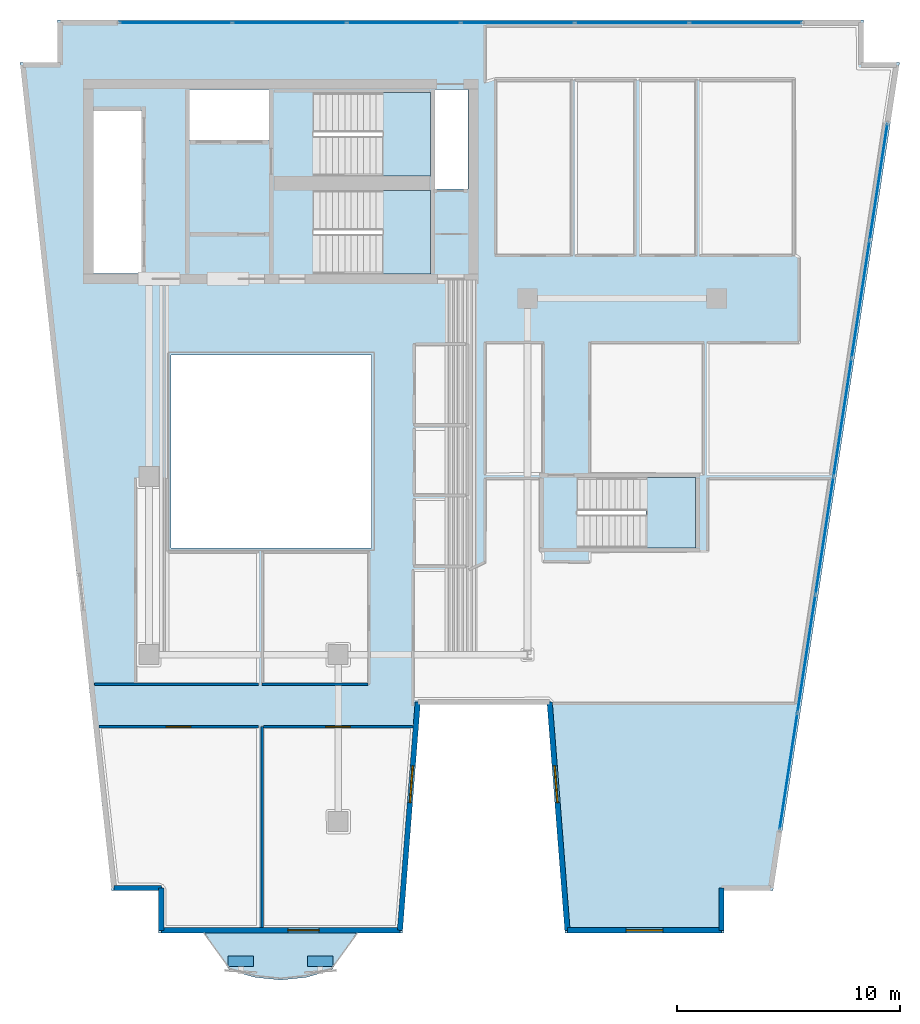
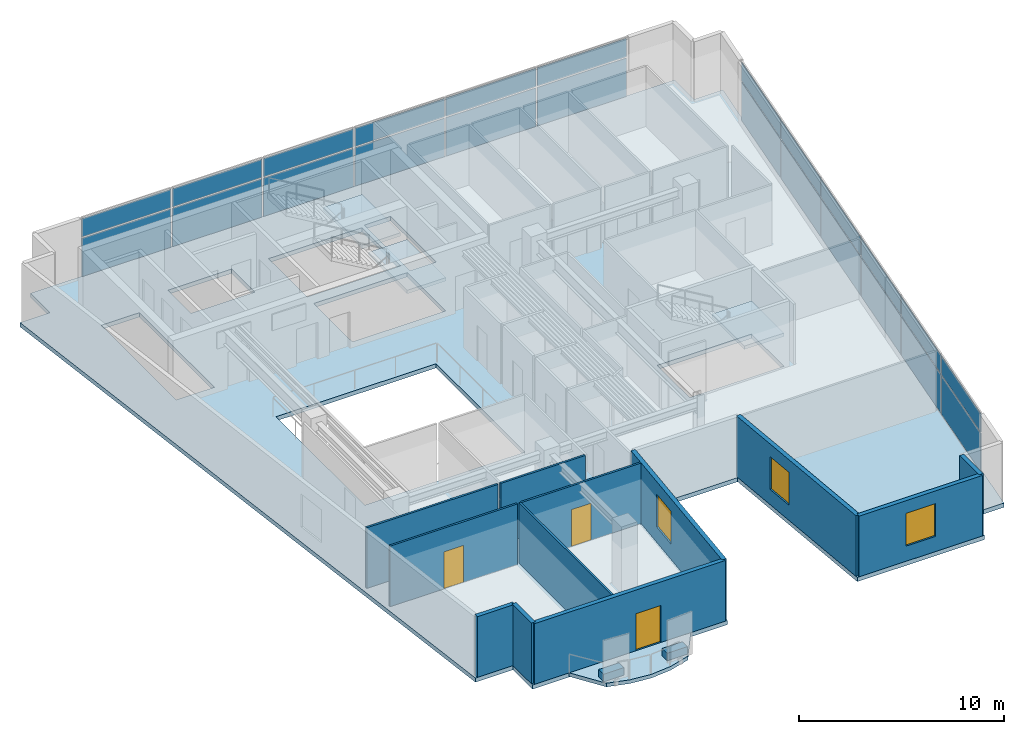
# One storey, part 3 of 8: 26 plates, 12 walls, 5 slabs, 3 doors, 3 windows, 6 openings, 5 elements without a shape of their own.
"""IFC4 building model written with IfcOpenShell, lengths in metres."""

from ifc_helpers import new_model, si_unit, direction, frame, frame_2d, origin, origin_2d, place, context, subcontext, project, spatial, polyline, rectangle, outline, extrude, material, layer, layer_set, type_object, element, fill, aggregate, save


model = new_model("IFC4")

# Units and contexts
model_context = context("Model", 3, precision=1e-05, world=origin(), true_north=direction((0.0, 1.0)))
body_context = subcontext(model_context, "Body", "Model", "MODEL_VIEW")
ifc_project = project(units=[si_unit("LENGTHUNIT", "METRE"), si_unit("AREAUNIT", "SQUARE_METRE"), si_unit("VOLUMEUNIT", "CUBIC_METRE"), si_unit("PLANEANGLEUNIT", "RADIAN"), si_unit("MASSUNIT", "GRAM", prefix="KILO")], contexts=[model_context])

# Site, building, storey
site_placement = place(None, origin())
site = spatial("IfcSite", under=ifc_project, at=site_placement, CompositionType="ELEMENT")
building_placement = place(site_placement, origin())
building = spatial("IfcBuilding", under=site, at=building_placement, Name="Caeloran Harvest Quay", CompositionType="ELEMENT")
storey_placement = place(building_placement, frame((0.0, 0.0, 246.949951171875)))
storey = spatial("IfcBuildingStorey", under=building, at=storey_placement, Name="L59", CompositionType="ELEMENT", Elevation=246.949951171875)

# Slab
ifc_material_1 = material(Name="Concrete C50/60", Category="concrete")
ifc_layer_1 = layer(ifc_material_1, 0.219970703125, Name="Concrete C50/60")
ifc_layer_set_1 = layer_set([ifc_layer_1], Name="Concrete C50/60")
slab_type_1 = type_object("IfcSlabType", Name="BALCONY-BL-220", PredefinedType="FLOOR", material=ifc_layer_set_1)
slab_1_placement = place(storey_placement, frame((0.0, 0.0, -0.219970703125)))
element("IfcSlab", 1, at=slab_1_placement, inside=storey, type_object=slab_type_1, Name="L59 Scalloped Cantilevered Planted Balcony Slab", PredefinedType="FLOOR", context=body_context, shape_type="SweptSolid", body=[
    extrude(outline(polyline([(16.70068359375, 0.82958984375), (15.5576171875, 0.507080078125), (14.41455078125, 0.388916015625), (13.271240234375, 0.507080078125), (12.128173828125, 0.82958984375), (10.99853515625, 2.5), (17.83056640625, 2.5), (16.70068359375, 0.82958984375)])), origin(), (0.0, 0.0, 1.0), 0.219970703125),
])

# Curtain wall, plates
ifc_material_2 = material(Name="Aluminium 6063-T6 and Low-E Glazing", Category="aluminium")
ifc_layer_2 = layer(ifc_material_2, 0.219970703125, Name="Aluminium 6063-T6 and Low-E Glazing")
ifc_layer_set_2 = layer_set([ifc_layer_2], Name="Aluminium 6063-T6 and Low-E Glazing")
curtain_wall_type = type_object("IfcCurtainWallType", Name="CW-SYS-CW-5", PredefinedType="USERDEFINED", material=ifc_layer_set_2)
curtain_wall_1_placement = place(storey_placement, origin())
curtain_wall_1 = element("IfcCurtainWall", 2, at=curtain_wall_1_placement, inside=storey, type_object=curtain_wall_type, Name="L59 Unitised Curtain Wall CW-5 Run 6", ObjectType="CURTAIN_WALL", PredefinedType="USERDEFINED")
ifc_material_3 = material(Name="Low-E Double Glazed Vision Glass Unit", Category="glass")
ifc_layer_3 = layer(ifc_material_3, 0.035888671875, Name="Low-E Double Glazed Vision Glass Unit")
ifc_layer_set_3 = layer_set([ifc_layer_3], Name="Low-E Double Glazed Vision Glass Unit")
plate_type_1 = type_object("IfcPlateType", Name="CW-VISION-PANEL", PredefinedType="CURTAIN_PANEL", material=ifc_layer_set_3)
plate_1_placement = place(storey_placement, frame((9.703369140625, 43.3798828125, 0.080078125), z_axis=(0.0, 0.0, 1.0), x_axis=(1.0, 0.0, 0.0)))
plate_1 = element("IfcPlate", 3, at=plate_1_placement, type_object=plate_type_1, Name="CW-5 panel 1.1", PredefinedType="CURTAIN_PANEL", context=body_context, shape_type="SweptSolid", body=[
    extrude(rectangle(XDim=5.006591796875, YDim=0.035888671875, at=origin_2d()), origin(), (0.0, 0.0, 1.0), 2.280029296875),
])
plate_2_placement = place(storey_placement, frame((9.703369140625, 43.3798828125, 2.43994140625), z_axis=(0.0, 0.0, 1.0), x_axis=(1.0, 0.0, 0.0)))
plate_2 = element("IfcPlate", 4, at=plate_2_placement, type_object=plate_type_1, Name="CW-5 panel 1.2", PredefinedType="CURTAIN_PANEL", context=body_context, shape_type="SweptSolid", body=[
    extrude(rectangle(XDim=5.006591796875, YDim=0.035888671875, at=origin_2d()), origin(), (0.0, 0.0, 1.0), 1.080078125),
])
plate_3_placement = place(storey_placement, frame((14.81005859375, 43.3798828125, 0.080078125), z_axis=(0.0, 0.0, 1.0), x_axis=(1.0, 0.0, 0.0)))
plate_3 = element("IfcPlate", 5, at=plate_3_placement, type_object=plate_type_1, Name="CW-5 panel 2.1", PredefinedType="CURTAIN_PANEL", context=body_context, shape_type="SweptSolid", body=[
    extrude(rectangle(XDim=5.046630859375, YDim=0.035888671875, at=origin_2d()), origin(), (0.0, 0.0, 1.0), 2.280029296875),
])
plate_4_placement = place(storey_placement, frame((14.81005859375, 43.3798828125, 2.43994140625), z_axis=(0.0, 0.0, 1.0), x_axis=(1.0, 0.0, 0.0)))
plate_4 = element("IfcPlate", 6, at=plate_4_placement, type_object=plate_type_1, Name="CW-5 panel 2.2", PredefinedType="CURTAIN_PANEL", context=body_context, shape_type="SweptSolid", body=[
    extrude(rectangle(XDim=5.046630859375, YDim=0.035888671875, at=origin_2d()), origin(), (0.0, 0.0, 1.0), 1.080078125),
])
plate_5_placement = place(storey_placement, frame((19.936767578125, 43.3798828125, 0.080078125), z_axis=(0.0, 0.0, 1.0), x_axis=(1.0, 0.0, 0.0)))
plate_5 = element("IfcPlate", 7, at=plate_5_placement, type_object=plate_type_1, Name="CW-5 panel 3.1", PredefinedType="CURTAIN_PANEL", context=body_context, shape_type="SweptSolid", body=[
    extrude(rectangle(XDim=5.046630859375, YDim=0.035888671875, at=origin_2d()), origin(), (0.0, 0.0, 1.0), 2.280029296875),
])
plate_6_placement = place(storey_placement, frame((19.936767578125, 43.3798828125, 2.43994140625), z_axis=(0.0, 0.0, 1.0), x_axis=(1.0, 0.0, 0.0)))
plate_6 = element("IfcPlate", 8, at=plate_6_placement, type_object=plate_type_1, Name="CW-5 panel 3.2", PredefinedType="CURTAIN_PANEL", context=body_context, shape_type="SweptSolid", body=[
    extrude(rectangle(XDim=5.046630859375, YDim=0.035888671875, at=origin_2d()), origin(), (0.0, 0.0, 1.0), 1.080078125),
])
plate_7_placement = place(storey_placement, frame((25.063232421875, 43.3798828125, 0.080078125), z_axis=(0.0, 0.0, 1.0), x_axis=(1.0, 0.0, 0.0)))
plate_7 = element("IfcPlate", 9, at=plate_7_placement, type_object=plate_type_1, Name="CW-5 panel 4.1", PredefinedType="CURTAIN_PANEL", context=body_context, shape_type="SweptSolid", body=[
    extrude(rectangle(XDim=5.046630859375, YDim=0.035888671875, at=origin_2d()), origin(), (0.0, 0.0, 1.0), 2.280029296875),
])
plate_8_placement = place(storey_placement, frame((25.063232421875, 43.3798828125, 2.43994140625), z_axis=(0.0, 0.0, 1.0), x_axis=(1.0, 0.0, 0.0)))
plate_8 = element("IfcPlate", 10, at=plate_8_placement, type_object=plate_type_1, Name="CW-5 panel 4.2", PredefinedType="CURTAIN_PANEL", context=body_context, shape_type="SweptSolid", body=[
    extrude(rectangle(XDim=5.046630859375, YDim=0.035888671875, at=origin_2d()), origin(), (0.0, 0.0, 1.0), 1.080078125),
])
plate_9_placement = place(storey_placement, frame((30.18994140625, 43.3798828125, 0.080078125), z_axis=(0.0, 0.0, 1.0), x_axis=(1.0, 0.0, 0.0)))
plate_9 = element("IfcPlate", 11, at=plate_9_placement, type_object=plate_type_1, Name="CW-5 panel 5.1", PredefinedType="CURTAIN_PANEL", context=body_context, shape_type="SweptSolid", body=[
    extrude(rectangle(XDim=5.046630859375, YDim=0.035888671875, at=origin_2d()), origin(), (0.0, 0.0, 1.0), 2.280029296875),
])
plate_10_placement = place(storey_placement, frame((30.18994140625, 43.3798828125, 2.43994140625), z_axis=(0.0, 0.0, 1.0), x_axis=(1.0, 0.0, 0.0)))
plate_10 = element("IfcPlate", 12, at=plate_10_placement, type_object=plate_type_1, Name="CW-5 panel 5.2", PredefinedType="CURTAIN_PANEL", context=body_context, shape_type="SweptSolid", body=[
    extrude(rectangle(XDim=5.046630859375, YDim=0.035888671875, at=origin_2d()), origin(), (0.0, 0.0, 1.0), 1.080078125),
])
plate_11_placement = place(storey_placement, frame((35.296630859375, 43.3798828125, 0.080078125), z_axis=(0.0, 0.0, 1.0), x_axis=(1.0, 0.0, 0.0)))
plate_11 = element("IfcPlate", 13, at=plate_11_placement, type_object=plate_type_1, Name="CW-5 panel 6.1", PredefinedType="CURTAIN_PANEL", context=body_context, shape_type="SweptSolid", body=[
    extrude(rectangle(XDim=5.006591796875, YDim=0.035888671875, at=origin_2d()), origin(), (0.0, 0.0, 1.0), 2.280029296875),
])
plate_12_placement = place(storey_placement, frame((35.296630859375, 43.3798828125, 2.43994140625), z_axis=(0.0, 0.0, 1.0), x_axis=(1.0, 0.0, 0.0)))
plate_12 = element("IfcPlate", 14, at=plate_12_placement, type_object=plate_type_1, Name="CW-5 panel 6.2", PredefinedType="CURTAIN_PANEL", context=body_context, shape_type="SweptSolid", body=[
    extrude(rectangle(XDim=5.006591796875, YDim=0.035888671875, at=origin_2d()), origin(), (0.0, 0.0, 1.0), 1.080078125),
])
aggregate(curtain_wall_1, [plate_1, plate_2, plate_3, plate_4, plate_5, plate_6, plate_7, plate_8, plate_9, plate_10, plate_11, plate_12])

curtain_wall_2_placement = place(storey_placement, origin())
curtain_wall_2 = element("IfcCurtainWall", 15, at=curtain_wall_2_placement, inside=storey, type_object=curtain_wall_type, Name="L59 Unitised Curtain Wall CW-5 Run 9", ObjectType="CURTAIN_WALL", PredefinedType="USERDEFINED")
plate_13_placement = place(storey_placement, frame((41.26904296875, 36.23828125, 0.080078125), z_axis=(0.0, 0.0, 1.0), x_axis=(-0.151027591278, -0.988529547698, 0.0)))
plate_13 = element("IfcPlate", 16, at=plate_13_placement, type_object=plate_type_1, Name="CW-5 panel 1.1", PredefinedType="CURTAIN_PANEL", context=body_context, shape_type="SweptSolid", body=[
    extrude(rectangle(XDim=5.244873046875, YDim=0.035888671875, at=origin_2d()), origin(), (0.0, 0.0, 1.0), 2.280029296875),
])
plate_14_placement = place(storey_placement, frame((41.26904296875, 36.23828125, 2.43994140625), z_axis=(0.0, 0.0, 1.0), x_axis=(-0.151027591278, -0.988529547698, 0.0)))
plate_14 = element("IfcPlate", 17, at=plate_14_placement, type_object=plate_type_1, Name="CW-5 panel 1.2", PredefinedType="CURTAIN_PANEL", context=body_context, shape_type="SweptSolid", body=[
    extrude(rectangle(XDim=5.244873046875, YDim=0.035888671875, at=origin_2d()), origin(), (0.0, 0.0, 1.0), 1.080078125),
])
plate_15_placement = place(storey_placement, frame((40.4619140625, 30.954833984375, 0.080078125), z_axis=(0.0, 0.0, 1.0), x_axis=(-0.151027591278, -0.988529547698, 0.0)))
plate_15 = element("IfcPlate", 18, at=plate_15_placement, type_object=plate_type_1, Name="CW-5 panel 2.1", PredefinedType="CURTAIN_PANEL", context=body_context, shape_type="SweptSolid", body=[
    extrude(rectangle(XDim=5.284912109375, YDim=0.035888671875, at=origin_2d()), origin(), (0.0, 0.0, 1.0), 2.280029296875),
])
plate_16_placement = place(storey_placement, frame((40.4619140625, 30.954833984375, 2.43994140625), z_axis=(0.0, 0.0, 1.0), x_axis=(-0.151027591278, -0.988529547698, 0.0)))
plate_16 = element("IfcPlate", 19, at=plate_16_placement, type_object=plate_type_1, Name="CW-5 panel 2.2", PredefinedType="CURTAIN_PANEL", context=body_context, shape_type="SweptSolid", body=[
    extrude(rectangle(XDim=5.284912109375, YDim=0.035888671875, at=origin_2d()), origin(), (0.0, 0.0, 1.0), 1.080078125),
])
plate_17_placement = place(storey_placement, frame((39.651611328125, 25.651611328125, 0.080078125), z_axis=(0.0, 0.0, 1.0), x_axis=(-0.151027591278, -0.988529547698, 0.0)))
plate_17 = element("IfcPlate", 20, at=plate_17_placement, type_object=plate_type_1, Name="CW-5 panel 3.1", PredefinedType="CURTAIN_PANEL", context=body_context, shape_type="SweptSolid", body=[
    extrude(rectangle(XDim=5.284912109375, YDim=0.035888671875, at=origin_2d()), origin(), (0.0, 0.0, 1.0), 2.280029296875),
])
plate_18_placement = place(storey_placement, frame((39.651611328125, 25.651611328125, 2.43994140625), z_axis=(0.0, 0.0, 1.0), x_axis=(-0.151027591278, -0.988529547698, 0.0)))
plate_18 = element("IfcPlate", 21, at=plate_18_placement, type_object=plate_type_1, Name="CW-5 panel 3.2", PredefinedType="CURTAIN_PANEL", context=body_context, shape_type="SweptSolid", body=[
    extrude(rectangle(XDim=5.284912109375, YDim=0.035888671875, at=origin_2d()), origin(), (0.0, 0.0, 1.0), 1.080078125),
])
plate_19_placement = place(storey_placement, frame((38.841552734375, 20.348388671875, 0.080078125), z_axis=(0.0, 0.0, 1.0), x_axis=(-0.151027591278, -0.988529547698, 0.0)))
plate_19 = element("IfcPlate", 22, at=plate_19_placement, type_object=plate_type_1, Name="CW-5 panel 4.1", PredefinedType="CURTAIN_PANEL", context=body_context, shape_type="SweptSolid", body=[
    extrude(rectangle(XDim=5.284912109375, YDim=0.035888671875, at=origin_2d()), origin(), (0.0, 0.0, 1.0), 2.280029296875),
])
plate_20_placement = place(storey_placement, frame((38.841552734375, 20.348388671875, 2.43994140625), z_axis=(0.0, 0.0, 1.0), x_axis=(-0.151027591278, -0.988529547698, 0.0)))
plate_20 = element("IfcPlate", 23, at=plate_20_placement, type_object=plate_type_1, Name="CW-5 panel 4.2", PredefinedType="CURTAIN_PANEL", context=body_context, shape_type="SweptSolid", body=[
    extrude(rectangle(XDim=5.284912109375, YDim=0.035888671875, at=origin_2d()), origin(), (0.0, 0.0, 1.0), 1.080078125),
])
plate_21_placement = place(storey_placement, frame((38.03125, 15.045166015625, 0.080078125), z_axis=(0.0, 0.0, 1.0), x_axis=(-0.151027591278, -0.988529547698, 0.0)))
plate_21 = element("IfcPlate", 24, at=plate_21_placement, type_object=plate_type_1, Name="CW-5 panel 5.1", PredefinedType="CURTAIN_PANEL", context=body_context, shape_type="SweptSolid", body=[
    extrude(rectangle(XDim=5.284912109375, YDim=0.035888671875, at=origin_2d()), origin(), (0.0, 0.0, 1.0), 2.280029296875),
])
plate_22_placement = place(storey_placement, frame((38.03125, 15.045166015625, 2.43994140625), z_axis=(0.0, 0.0, 1.0), x_axis=(-0.151027591278, -0.988529547698, 0.0)))
plate_22 = element("IfcPlate", 25, at=plate_22_placement, type_object=plate_type_1, Name="CW-5 panel 5.2", PredefinedType="CURTAIN_PANEL", context=body_context, shape_type="SweptSolid", body=[
    extrude(rectangle(XDim=5.284912109375, YDim=0.035888671875, at=origin_2d()), origin(), (0.0, 0.0, 1.0), 1.080078125),
])
plate_23_placement = place(storey_placement, frame((37.22412109375, 9.76171875, 0.080078125), z_axis=(0.0, 0.0, 1.0), x_axis=(-0.151027591278, -0.988529547698, 0.0)))
plate_23 = element("IfcPlate", 26, at=plate_23_placement, type_object=plate_type_1, Name="CW-5 panel 6.1", PredefinedType="CURTAIN_PANEL", context=body_context, shape_type="SweptSolid", body=[
    extrude(rectangle(XDim=5.244873046875, YDim=0.035888671875, at=origin_2d()), origin(), (0.0, 0.0, 1.0), 2.280029296875),
])
plate_24_placement = place(storey_placement, frame((37.22412109375, 9.76171875, 2.43994140625), z_axis=(0.0, 0.0, 1.0), x_axis=(-0.151027591278, -0.988529547698, 0.0)))
plate_24 = element("IfcPlate", 27, at=plate_24_placement, type_object=plate_type_1, Name="CW-5 panel 6.2", PredefinedType="CURTAIN_PANEL", context=body_context, shape_type="SweptSolid", body=[
    extrude(rectangle(XDim=5.244873046875, YDim=0.035888671875, at=origin_2d()), origin(), (0.0, 0.0, 1.0), 1.080078125),
])
aggregate(curtain_wall_2, [plate_13, plate_14, plate_15, plate_16, plate_17, plate_18, plate_19, plate_20, plate_21, plate_22, plate_23, plate_24])

# Plates
ifc_material_4 = material(Name="Precast concrete C50/60", Category="concrete")
ifc_layer_4 = layer(ifc_material_4, 0.449951171875, Name="Precast concrete C50/60")
ifc_layer_set_4 = layer_set([ifc_layer_4], Name="Precast concrete C50/60")
plate_type_2 = type_object("IfcPlateType", Name="PLANTER-TROUGH-450", PredefinedType="USERDEFINED", material=ifc_layer_set_4)
for number, where, z_axis, x_axis, name in (
    (28, (16.19775390625, 1.23681640625, 0.0), (0.0, 0.0, 1.0), (1.0, 0.0, 0.0), "L59 Balcony Vertical-Greenery Precast PLANTER Trough 1"),
    (29, (12.631103515625, 1.23681640625, 0.0), (0.0, 0.0, 1.0), (1.0, 0.0, 0.0), "L59 Balcony Vertical-Greenery Precast PLANTER Trough 2"),
):
    element("IfcPlate", number, at=place(storey_placement, frame(where, z_axis=z_axis, x_axis=x_axis)), inside=storey, type_object=plate_type_2, Name=name, ObjectType="PLANTER", PredefinedType="USERDEFINED", context=body_context, shape_type="SweptSolid", body=[
        extrude(rectangle(XDim=1.14990234375, YDim=0.47998046875, at=origin_2d()), origin(), (0.0, 0.0, 1.0), 0.449951171875),
    ])

# Slab
ifc_layer_5 = layer(ifc_material_1, 0.25, Name="Concrete C50/60")
ifc_layer_set_5 = layer_set([ifc_layer_5], Name="Concrete C50/60")
slab_type_2 = type_object("IfcSlabType", Name="SLAB-FS-250", PredefinedType="FLOOR", material=ifc_layer_set_5)
slab_2_placement = place(storey_placement, frame((0.0, 0.0, -0.25)))
element("IfcSlab", 30, at=slab_2_placement, inside=storey, type_object=slab_type_2, Name="L59 Structural Floor Slab", PredefinedType="FLOOR", context=body_context, shape_type="SweptSolid", body=[
    extrude(outline(polyline([(8.93603515625, 2.5), (19.884033203125, 2.5), (20.68408203125, 12.75), (26.384033203125, 12.75), (27.18408203125, 2.5), (34.3359375, 2.5), (34.3359375, 4.39990234375), (36.5263671875, 4.39990234375), (42.209716796875, 41.60009765625), (40.60009765625, 41.60009765625), (40.60009765625, 43.5), (4.39990234375, 43.5), (4.39990234375, 41.60009765625), (2.710205078125, 41.60009765625), (6.82568359375, 4.39990234375), (8.93603515625, 4.39990234375), (8.93603515625, 2.5)]), holes=[polyline([(33.050048828125, 19.800048828125), (27.75, 19.800048828125), (27.75, 22.949951171875), (33.050048828125, 22.949951171875), (33.050048828125, 19.800048828125)]), polyline([(18.5, 19.800048828125), (9.5, 19.800048828125), (9.5, 28.449951171875), (18.5, 28.449951171875), (18.5, 19.800048828125)]), polyline([(15.89990234375, 32.10009765625), (15.89990234375, 35.85009765625), (21.14990234375, 35.85009765625), (21.14990234375, 32.10009765625), (15.89990234375, 32.10009765625)]), polyline([(8.159912109375, 32.1201171875), (6.02001953125, 32.1201171875), (6.02001953125, 39.419921875), (8.159912109375, 39.419921875), (8.159912109375, 32.1201171875)]), polyline([(22.830078125, 35.919921875), (21.35009765625, 35.919921875), (21.35009765625, 40.3798828125), (22.830078125, 40.3798828125), (22.830078125, 35.919921875)]), polyline([(15.89990234375, 36.5), (15.89990234375, 40.25), (21.14990234375, 40.25), (21.14990234375, 36.5), (15.89990234375, 36.5)]), polyline([(13.89990234375, 38.1201171875), (10.320068359375, 38.1201171875), (10.320068359375, 40.3798828125), (13.89990234375, 40.3798828125), (13.89990234375, 38.1201171875)])]), origin(), (0.0, 0.0, 1.0), 0.25),
])

# Stair, slab
stair_type_1 = type_object("IfcStairType", Name="STAIR-STC-180", PredefinedType="HALF_TURN_STAIR", material=ifc_material_1)
stair_1_placement = place(storey_placement, origin())
stair_1 = element("IfcStair", 31, at=stair_1_placement, inside=storey, type_object=stair_type_1, Name="L59 Core Pressurized Exit Stair ST-C1", PredefinedType="HALF_TURN_STAIR")
ifc_layer_6 = layer(ifc_material_1, 0.219970703125, Name="Concrete C50/60")
ifc_layer_set_6 = layer_set([ifc_layer_6], Name="Concrete C50/60")
slab_type_3 = type_object("IfcSlabType", Name="STAIR-LANDING-220", PredefinedType="LANDING", material=ifc_layer_set_6)
slab_3_placement = place(storey_placement, frame((0.0, 0.0, 1.775146484375)))
slab_3 = element("IfcSlab", 32, at=slab_3_placement, type_object=slab_type_3, Name="ST-C1 landing 1", PredefinedType="LANDING", context=body_context, shape_type="SweptSolid", body=[
    extrude(outline(polyline([(18.97998046875, 36.5), (21.14990234375, 36.5), (21.14990234375, 40.25), (18.97998046875, 40.25), (18.97998046875, 36.5)])), origin(), (0.0, 0.0, 1.0), 0.199951171875),
])
aggregate(stair_1, [slab_3])

stair_2_placement = place(storey_placement, origin())
stair_2 = element("IfcStair", 33, at=stair_2_placement, inside=storey, type_object=stair_type_1, Name="L59 Core Pressurized Exit Stair ST-C2", PredefinedType="HALF_TURN_STAIR")
slab_4_placement = place(storey_placement, frame((0.0, 0.0, 1.775146484375)))
slab_4 = element("IfcSlab", 34, at=slab_4_placement, type_object=slab_type_3, Name="ST-C2 landing 1", PredefinedType="LANDING", context=body_context, shape_type="SweptSolid", body=[
    extrude(outline(polyline([(18.97998046875, 32.10009765625), (21.14990234375, 32.10009765625), (21.14990234375, 35.85009765625), (18.97998046875, 35.85009765625), (18.97998046875, 32.10009765625)])), origin(), (0.0, 0.0, 1.0), 0.199951171875),
])
aggregate(stair_2, [slab_4])

stair_type_2 = type_object("IfcStairType", Name="STAIR-STW-150", PredefinedType="HALF_TURN_STAIR", material=ifc_material_1)
stair_3_placement = place(storey_placement, origin())
stair_3 = element("IfcStair", 35, at=stair_3_placement, inside=storey, type_object=stair_type_2, Name="L59 East Wing Protected Exit Stair ST-W1", PredefinedType="HALF_TURN_STAIR")
slab_5_placement = place(storey_placement, frame((0.0, 0.0, 1.775146484375)))
slab_5 = element("IfcSlab", 36, at=slab_5_placement, type_object=slab_type_3, Name="ST-W1 landing 1", PredefinedType="LANDING", context=body_context, shape_type="SweptSolid", body=[
    extrude(outline(polyline([(30.830078125, 19.800048828125), (33.050048828125, 19.800048828125), (33.050048828125, 22.949951171875), (30.830078125, 22.949951171875), (30.830078125, 19.800048828125)])), origin(), (0.0, 0.0, 1.0), 0.199951171875),
])
aggregate(stair_3, [slab_5])

# Walls
ifc_layer_7 = layer(ifc_material_4, 0.239990234375, Name="Precast concrete C50/60")
ifc_layer_set_7 = layer_set([ifc_layer_7], Name="Precast concrete C50/60")
wall_type_1 = type_object("IfcWallType", Name="ENV-WALL-EW-240", PredefinedType="STANDARD", material=ifc_layer_set_7)
wall_1_placement = place(storey_placement, frame((9.055908203125, 2.6201171875, 0.0), z_axis=(0.0, 0.0, 1.0), x_axis=(0.0, 1.0, 0.0)))
element("IfcWall", 37, at=wall_1_placement, inside=storey, type_object=wall_type_1, Name="L59 Exterior Precast Concrete Facade Wall 1", PredefinedType="STANDARD", context=body_context, shape_type="SweptSolid", body=[
    extrude(rectangle(XDim=1.89990234375, YDim=0.239990234375, at=frame_2d((0.949951171875, 0.0))), origin(), (0.0, 0.0, 1.0), 3.60009765625),
])
wall_2_placement = place(storey_placement, frame((9.055908203125, 4.52001953125, 0.0), z_axis=(0.0, 0.0, 1.0), x_axis=(-1.0, 0.0, 0.0)))
element("IfcWall", 38, at=wall_2_placement, inside=storey, type_object=wall_type_1, Name="L59 Exterior Precast Concrete Facade Wall 2", PredefinedType="STANDARD", context=body_context, shape_type="SweptSolid", body=[
    extrude(rectangle(XDim=2.12255859375, YDim=0.239990234375, at=frame_2d((1.061279296875, 0.0))), origin(), (0.0, 0.0, 1.0), 3.60009765625),
])
wall_3_placement = place(storey_placement, frame((34.216064453125, 4.52001953125, 0.0), z_axis=(0.0, 0.0, 1.0), x_axis=(0.0, -1.0, 0.0)))
element("IfcWall", 39, at=wall_3_placement, inside=storey, type_object=wall_type_1, Name="L59 Exterior Precast Concrete Facade Wall 11", PredefinedType="STANDARD", context=body_context, shape_type="SweptSolid", body=[
    extrude(rectangle(XDim=1.89990234375, YDim=0.239990234375, at=frame_2d((0.949951171875, 0.0))), origin(), (0.0, 0.0, 1.0), 3.60009765625),
])

# Wall, opening, window
wall_4_placement = place(storey_placement, frame((34.216064453125, 2.6201171875, 0.0), z_axis=(0.0, 0.0, 1.0), x_axis=(-1.0, 0.0, 0.0)))
wall_4 = element("IfcWall", 40, at=wall_4_placement, inside=storey, type_object=wall_type_1, Name="L59 Exterior Precast Concrete Facade Wall 12", PredefinedType="STANDARD", context=body_context, shape_type="SweptSolid", body=[
    extrude(rectangle(XDim=6.921142578125, YDim=0.239990234375, at=frame_2d((3.46044921875, 0.0))), origin(), (0.0, 0.0, 1.0), 3.60009765625),
])
opening_1_placement = place(wall_4_placement, frame((2.635009765625, 0.0, 0.89990234375)))
opening_1 = element("IfcOpeningElement", 41, at=opening_1_placement, cuts=wall_4, Name="Opening W-08", PredefinedType="OPENING", context=body_context, shape_type="SweptSolid", body=[
    extrude(rectangle(XDim=1.64990234375, YDim=1.949951171875, at=frame_2d((0.824951171875, 0.97509765625))), frame((0.0, 0.1298828125, 0.0), z_axis=(0.0, -1.0, 0.0), x_axis=(1.0, 0.0, 0.0)), (0.0, 0.0, 1.0), 0.260009765625),
])
ifc_material_5 = material(Name="Aluminium-Framed Low-E Laminated Glass", Category="aluminium")
window_type = type_object("IfcWindowType", Name="WIN-W-08", PartitioningType="SINGLE_PANEL", PredefinedType="WINDOW", material=ifc_material_5)
window_1_placement = place(opening_1_placement, origin())
window_1 = element("IfcWindow", 42, at=window_1_placement, inside=storey, type_object=window_type, Name="L59 Facade Punched Window W-08", OverallHeight=1.949951171875, OverallWidth=1.64990234375, PartitioningType="SINGLE_PANEL", PredefinedType="WINDOW", context=body_context, shape_type="SweptSolid", body=[
    extrude(rectangle(XDim=1.64990234375, YDim=1.949951171875, at=frame_2d((0.824951171875, 0.97509765625))), frame((0.0, 0.030029296875, 0.0), z_axis=(0.0, -1.0, 0.0), x_axis=(1.0, 0.0, 0.0)), (0.0, 0.0, 1.0), 0.06005859375),
])
fill(opening_1, window_1)

wall_5_placement = place(storey_placement, frame((27.294921875, 2.6201171875, 0.0), z_axis=(0.0, 0.0, 1.0), x_axis=(-0.077793257511, 0.996969512616, 0.0)))
wall_5 = element("IfcWall", 43, at=wall_5_placement, inside=storey, type_object=wall_type_1, Name="L59 Exterior Precast Concrete Facade Wall 13", PredefinedType="STANDARD", context=body_context, shape_type="SweptSolid", body=[
    extrude(rectangle(XDim=10.28125, YDim=0.239990234375, at=frame_2d((5.140625, 0.0))), origin(), (0.0, 0.0, 1.0), 3.60009765625),
])
opening_2_placement = place(wall_5_placement, frame((5.7548828125, 0.0, 0.89990234375)))
opening_2 = element("IfcOpeningElement", 44, at=opening_2_placement, cuts=wall_5, Name="Opening W-08", PredefinedType="OPENING", context=body_context, shape_type="SweptSolid", body=[
    extrude(rectangle(XDim=1.64990234375, YDim=1.949951171875, at=frame_2d((0.824951171875, 0.97509765625))), frame((0.0, 0.1298828125, 0.0), z_axis=(0.0, -1.0, 0.0), x_axis=(1.0, 0.0, 0.0)), (0.0, 0.0, 1.0), 0.260009765625),
])
window_2_placement = place(opening_2_placement, origin())
window_2 = element("IfcWindow", 45, at=window_2_placement, inside=storey, type_object=window_type, Name="L59 Facade Punched Window W-08", OverallHeight=1.949951171875, OverallWidth=1.64990234375, PartitioningType="SINGLE_PANEL", PredefinedType="WINDOW", context=body_context, shape_type="SweptSolid", body=[
    extrude(rectangle(XDim=1.64990234375, YDim=1.949951171875, at=frame_2d((0.824951171875, 0.97509765625))), frame((0.0, 0.030029296875, 0.0), z_axis=(0.0, -1.0, 0.0), x_axis=(1.0, 0.0, 0.0)), (0.0, 0.0, 1.0), 0.06005859375),
])
fill(opening_2, window_2)

wall_6_placement = place(storey_placement, frame((20.572998046875, 12.8701171875, 0.0), z_axis=(0.0, 0.0, 1.0), x_axis=(-0.077816860153, -0.996967670627, 0.0)))
wall_6 = element("IfcWall", 46, at=wall_6_placement, inside=storey, type_object=wall_type_1, Name="L59 Exterior Precast Concrete Facade Wall 15", PredefinedType="STANDARD", context=body_context, shape_type="SweptSolid", body=[
    extrude(rectangle(XDim=10.28125, YDim=0.239990234375, at=frame_2d((5.140625, 0.0))), origin(), (0.0, 0.0, 1.0), 3.60009765625),
])
opening_3_placement = place(wall_6_placement, frame((2.8759765625, 0.0, 0.89990234375)))
opening_3 = element("IfcOpeningElement", 47, at=opening_3_placement, cuts=wall_6, Name="Opening W-08", PredefinedType="OPENING", context=body_context, shape_type="SweptSolid", body=[
    extrude(rectangle(XDim=1.64990234375, YDim=1.949951171875, at=frame_2d((0.824951171875, 0.97509765625))), frame((0.0, 0.1298828125, 0.0), z_axis=(0.0, -1.0, 0.0), x_axis=(1.0, 0.0, 0.0)), (0.0, 0.0, 1.0), 0.260009765625),
])
window_3_placement = place(opening_3_placement, origin())
window_3 = element("IfcWindow", 48, at=window_3_placement, inside=storey, type_object=window_type, Name="L59 Facade Punched Window W-08", OverallHeight=1.949951171875, OverallWidth=1.64990234375, PartitioningType="SINGLE_PANEL", PredefinedType="WINDOW", context=body_context, shape_type="SweptSolid", body=[
    extrude(rectangle(XDim=1.64990234375, YDim=1.949951171875, at=frame_2d((0.824951171875, 0.97509765625))), frame((0.0, 0.030029296875, 0.0), z_axis=(0.0, -1.0, 0.0), x_axis=(1.0, 0.0, 0.0)), (0.0, 0.0, 1.0), 0.06005859375),
])
fill(opening_3, window_3)

# Wall, opening, door
wall_7_placement = place(storey_placement, frame((19.77294921875, 2.6201171875, 0.0), z_axis=(0.0, 0.0, 1.0), x_axis=(-1.0, 0.0, 0.0)))
wall_7 = element("IfcWall", 49, at=wall_7_placement, inside=storey, type_object=wall_type_1, Name="L59 Exterior Precast Concrete Facade Wall 16", PredefinedType="STANDARD", context=body_context, shape_type="SweptSolid", body=[
    extrude(rectangle(XDim=10.717041015625, YDim=0.239990234375, at=frame_2d((5.3583984375, 0.0))), origin(), (0.0, 0.0, 1.0), 3.60009765625),
])
opening_4_placement = place(wall_7_placement, frame((3.6298828125, 0.0, 0.0)))
opening_4 = element("IfcOpeningElement", 50, at=opening_4_placement, cuts=wall_7, Name="Opening BD-02", PredefinedType="OPENING", context=body_context, shape_type="SweptSolid", body=[
    extrude(rectangle(XDim=1.39990234375, YDim=2.199951171875, at=frame_2d((0.699951171875, 1.10009765625))), frame((0.0, 0.1298828125, 0.0), z_axis=(0.0, -1.0, 0.0), x_axis=(1.0, 0.0, 0.0)), (0.0, 0.0, 1.0), 0.260009765625),
])
ifc_material_6 = material(Name="Thermally Broken Powder-Coated Aluminium and Safety Glass", Category="aluminium")
door_type_1 = type_object("IfcDoorType", Name="EXTDOOR-BD-02", OperationType="NOTDEFINED", PredefinedType="DOOR", material=ifc_material_6)
door_1_placement = place(opening_4_placement, origin())
door_1 = element("IfcDoor", 51, at=door_1_placement, inside=storey, type_object=door_type_1, Name="L59 Planted Balcony Glazed Access Door", OperationType="SINGLE_SWING_RIGHT", OverallHeight=2.199951171875, OverallWidth=1.39990234375, PredefinedType="DOOR", context=body_context, shape_type="SweptSolid", body=[
    extrude(rectangle(XDim=1.39990234375, YDim=2.199951171875, at=frame_2d((0.699951171875, 1.10009765625))), frame((0.0, 0.02490234375, 0.0), z_axis=(0.0, -1.0, 0.0), x_axis=(1.0, 0.0, 0.0)), (0.0, 0.0, 1.0), 0.050048828125),
])
fill(opening_4, door_1)

# Wall
ifc_material_7 = material(Name="Single-Stud Acoustic Gypsum Office Partition", Category="gypsum")
ifc_layer_8 = layer(ifc_material_7, 0.112060546875, Name="Single-Stud Acoustic Gypsum Office Partition")
ifc_layer_set_8 = layer_set([ifc_layer_8], Name="Single-Stud Acoustic Gypsum Office Partition")
wall_type_2 = type_object("IfcWallType", Name="INT-WALL-PW-112", PredefinedType="PARTITIONING", material=ifc_layer_set_8)
wall_8_placement = place(storey_placement, frame((13.580078125, 2.7451171875, 0.0), z_axis=(0.0, 0.0, 1.0), x_axis=(0.0, 1.0, 0.0)))
element("IfcWall", 52, at=wall_8_placement, inside=storey, type_object=wall_type_2, Name="Sustainable Urbanism Advisory Office Partition Wall", PredefinedType="PARTITIONING", context=body_context, shape_type="SweptSolid", body=[
    extrude(rectangle(XDim=9.02490234375, YDim=0.112060546875, at=frame_2d((4.512451171875, 0.0))), origin(), (0.0, 0.0, 1.0), 3.60009765625),
])

# Wall, opening, door
wall_9_placement = place(storey_placement, frame((13.64111328125, 11.77001953125, 0.0), z_axis=(0.0, 0.0, 1.0), x_axis=(1.0, 0.0, 0.0)))
wall_9 = element("IfcWall", 53, at=wall_9_placement, inside=storey, type_object=wall_type_2, Name="Sustainable Urbanism Advisory Office Partition Wall", PredefinedType="PARTITIONING", context=body_context, shape_type="SweptSolid", body=[
    extrude(rectangle(XDim=6.720703125, YDim=0.112060546875, at=frame_2d((3.3603515625, 0.0))), origin(), (0.0, 0.0, 1.0), 3.60009765625),
])
opening_5_placement = place(wall_9_placement, frame((2.810302734375, 0.0, 0.0)))
opening_5 = element("IfcOpeningElement", 54, at=opening_5_placement, cuts=wall_9, Name="Opening ID-04", PredefinedType="OPENING", context=body_context, shape_type="SweptSolid", body=[
    extrude(rectangle(XDim=1.10009765625, YDim=2.199951171875, at=frame_2d((0.550048828125, 1.10009765625))), frame((0.0, 0.06591796875, 0.0), z_axis=(0.0, -1.0, 0.0), x_axis=(1.0, 0.0, 0.0)), (0.0, 0.0, 1.0), 0.132080078125),
])
ifc_material_8 = material(Name="Acoustic Walnut Veneer Executive Door", Category="wood")
door_type_2 = type_object("IfcDoorType", Name="INTDOOR-ID-04", OperationType="NOTDEFINED", PredefinedType="DOOR", material=ifc_material_8)
door_2_placement = place(opening_5_placement, origin())
door_2 = element("IfcDoor", 55, at=door_2_placement, inside=storey, type_object=door_type_2, Name="Sustainable Urbanism Advisory Office Access Door", OperationType="SINGLE_SWING_LEFT", OverallHeight=2.199951171875, OverallWidth=1.10009765625, PredefinedType="DOOR", context=body_context, shape_type="SweptSolid", body=[
    extrude(rectangle(XDim=1.10009765625, YDim=2.199951171875, at=frame_2d((0.550048828125, 1.10009765625))), frame((0.0, 0.02490234375, 0.0), z_axis=(0.0, -1.0, 0.0), x_axis=(1.0, 0.0, 0.0)), (0.0, 0.0, 1.0), 0.050048828125),
])
fill(opening_5, door_2)

wall_10_placement = place(storey_placement, frame((6.257080078125, 11.77001953125, 0.0), z_axis=(0.0, 0.0, 1.0), x_axis=(1.0, 0.0, 0.0)))
wall_10 = element("IfcWall", 56, at=wall_10_placement, inside=storey, type_object=wall_type_2, Name="GIS Spatial Modelling Lab Partition Wall", PredefinedType="PARTITIONING", context=body_context, shape_type="SweptSolid", body=[
    extrude(rectangle(XDim=7.162841796875, YDim=0.112060546875, at=frame_2d((3.58154296875, 0.0))), origin(), (0.0, 0.0, 1.0), 3.60009765625),
])
opening_6_placement = place(wall_10_placement, frame((3.031494140625, 0.0, 0.0)))
opening_6 = element("IfcOpeningElement", 57, at=opening_6_placement, cuts=wall_10, Name="Opening ID-04", PredefinedType="OPENING", context=body_context, shape_type="SweptSolid", body=[
    extrude(rectangle(XDim=1.10009765625, YDim=2.199951171875, at=frame_2d((0.550048828125, 1.10009765625))), frame((0.0, 0.06591796875, 0.0), z_axis=(0.0, -1.0, 0.0), x_axis=(1.0, 0.0, 0.0)), (0.0, 0.0, 1.0), 0.132080078125),
])
door_3_placement = place(opening_6_placement, origin())
door_3 = element("IfcDoor", 58, at=door_3_placement, inside=storey, type_object=door_type_2, Name="GIS Spatial Modelling Lab Access Door", OperationType="SINGLE_SWING_RIGHT", OverallHeight=2.199951171875, OverallWidth=1.10009765625, PredefinedType="DOOR", context=body_context, shape_type="SweptSolid", body=[
    extrude(rectangle(XDim=1.10009765625, YDim=2.199951171875, at=frame_2d((0.550048828125, 1.10009765625))), frame((0.0, 0.02490234375, 0.0), z_axis=(0.0, -1.0, 0.0), x_axis=(1.0, 0.0, 0.0)), (0.0, 0.0, 1.0), 0.050048828125),
])
fill(opening_6, door_3)

# Walls
wall_11_placement = place(storey_placement, frame((18.3291015625, 13.679931640625, 0.0), z_axis=(0.0, 0.0, 1.0), x_axis=(-1.0, 0.0, 0.0)))
element("IfcWall", 59, at=wall_11_placement, inside=storey, type_object=wall_type_2, Name="Director Office Partition Wall", PredefinedType="PARTITIONING", context=body_context, shape_type="SweptSolid", body=[
    extrude(rectangle(XDim=4.7490234375, YDim=0.112060546875, at=frame_2d((2.37451171875, 0.0))), origin(), (0.0, 0.0, 1.0), 3.60009765625),
])
wall_12_placement = place(storey_placement, frame((13.419921875, 13.679931640625, 0.0), z_axis=(0.0, 0.0, 1.0), x_axis=(-1.0, 0.0, 0.0)))
element("IfcWall", 60, at=wall_12_placement, inside=storey, type_object=wall_type_2, Name="Terrace Cafe Kitchen Partition Wall", PredefinedType="PARTITIONING", context=body_context, shape_type="SweptSolid", body=[
    extrude(rectangle(XDim=7.374267578125, YDim=0.112060546875, at=frame_2d((3.68701171875, 0.0))), origin(), (0.0, 0.0, 1.0), 3.60009765625),
])

save(model, "model.ifc")
